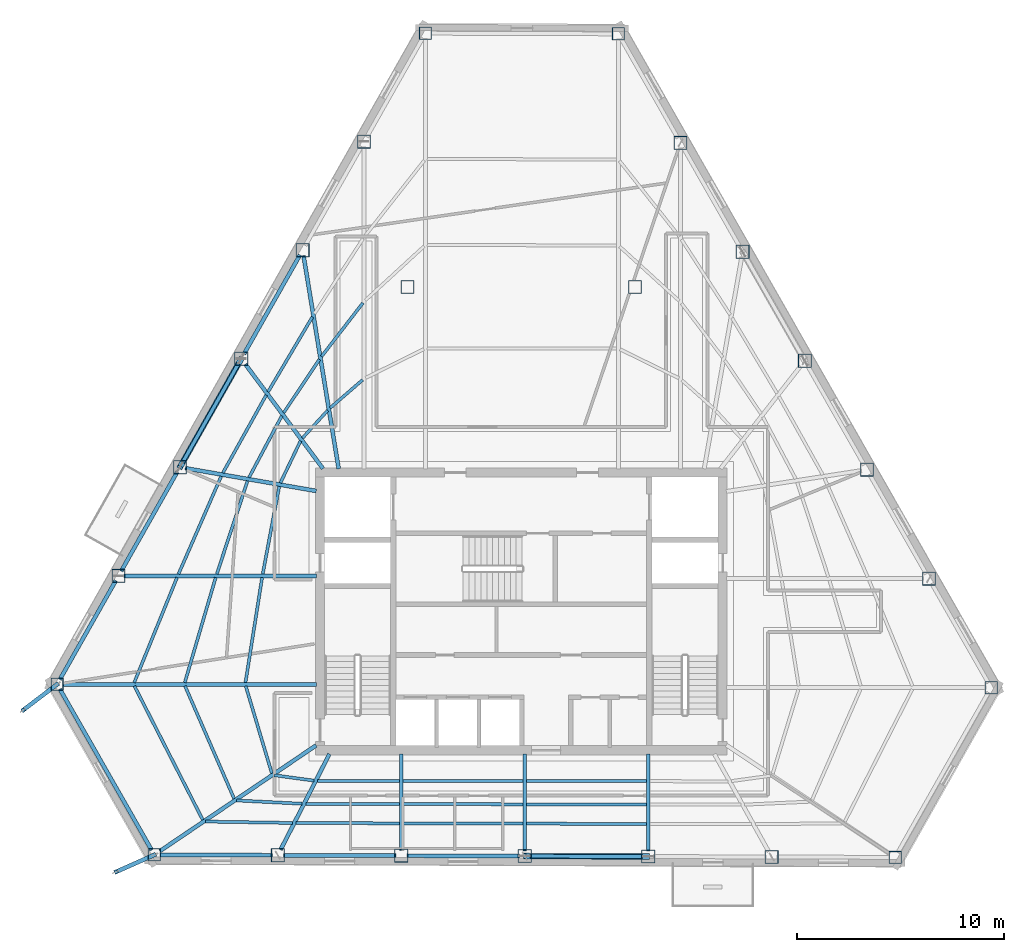
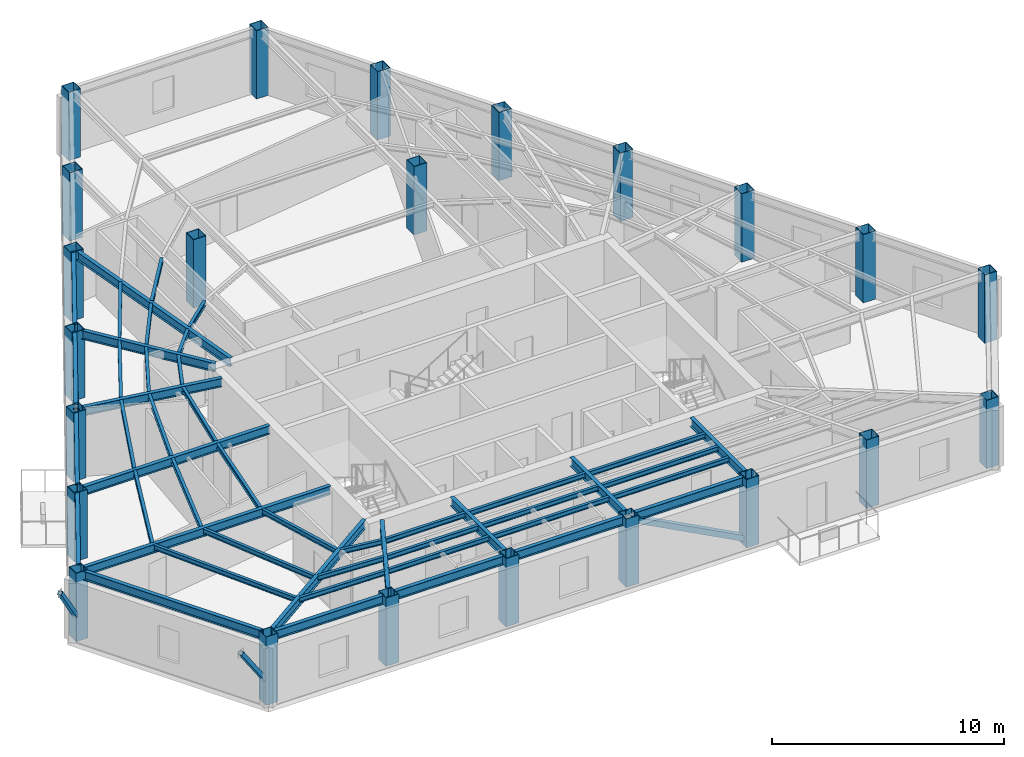
# One storey, part 1 of 13: 48 beams, 23 columns, 4 members.
"""IFC4 building model written with IfcOpenShell, lengths in metres."""

from ifc_helpers import new_model, si_unit, direction, frame, origin, origin_2d, place, context, subcontext, project, spatial, hollow_rectangle, i_section, extrude, material, material_profile, profile_set, type_object, element, save


model = new_model("IFC4")

# Units and contexts
model_context = context("Model", 3, precision=1e-05, world=origin(), true_north=direction((0.0, 1.0)))
body_context = subcontext(model_context, "Body", "Model", "MODEL_VIEW")
ifc_project = project(units=[si_unit("LENGTHUNIT", "METRE"), si_unit("AREAUNIT", "SQUARE_METRE"), si_unit("VOLUMEUNIT", "CUBIC_METRE"), si_unit("PLANEANGLEUNIT", "RADIAN"), si_unit("MASSUNIT", "GRAM", prefix="KILO")], contexts=[model_context])

# Site, building, storey
site_placement = place(None, origin())
site = spatial("IfcSite", under=ifc_project, at=site_placement, CompositionType="ELEMENT")
building_placement = place(site_placement, origin())
building = spatial("IfcBuilding", under=site, at=building_placement, Name="Kavelnor Concourse Tower", CompositionType="ELEMENT")
storey_placement = place(building_placement, frame((0.0, 0.0, 168.85009765625)))
storey = spatial("IfcBuildingStorey", under=building, at=storey_placement, Name="L42", CompositionType="ELEMENT", Elevation=168.85009765625)

# Columns
ifc_material = material(Name="Steel Grade 350", Category="steel")
ifc_material_profile_1 = material_profile(ifc_material, hollow_rectangle(XDim=0.60009765625, YDim=0.60009765625, WallThickness=0.028076171875, at=origin_2d()), Name="SHS 600x600x28")
ifc_profile_set_1 = profile_set([ifc_material_profile_1], Name="Steel Grade 350")
column_type_1 = type_object("IfcColumnType", Name="COL-FOLD-Z3", PredefinedType="COLUMN", material=ifc_profile_set_1)
for number, where, z_axis, x_axis, name in (
    (1, (33.360595703125, 44.07666015625, 0.0), (0.0, 0.0, 1.0), (1.0, 0.0, 0.0), "L42 Perimeter Corner-Fold Column F0-B0"),
    (2, (15.539794921875, 12.57080078125, 0.0), (0.0, 0.0, 1.0), (1.0, 0.0, 0.0), "L42 Perimeter Corner-Fold Column F0-B6"),
    (3, (20.244873046875, 4.319091796875, 0.0), (0.0, 0.0, 1.0), (1.0, 0.0, 0.0), "L42 Perimeter Corner-Fold Column F1-B0"),
    (4, (56.090087890625, 4.19580078125, 0.0), (0.0, 0.0, 1.0), (1.0, 0.0, 0.0), "L42 Perimeter Corner-Fold Column F1-B6"),
    (5, (60.736083984375, 12.40966796875, 0.0), (0.0, 0.0, 1.0), (1.0, 0.0, 0.0), "L42 Perimeter Corner-Fold Column F2-B0"),
    (6, (42.6982421875, 44.044677734375, 0.0), (0.0, 0.0, 1.0), (1.0, 0.0, 0.0), "L42 Perimeter Corner-Fold Column F2-B6"),
):
    element("IfcColumn", number, at=place(storey_placement, frame(where, z_axis=z_axis, x_axis=x_axis)), inside=storey, type_object=column_type_1, Name=name, PredefinedType="COLUMN", context=body_context, shape_type="SweptSolid", body=[
        extrude(hollow_rectangle(XDim=0.60009765625, YDim=0.60009765625, WallThickness=0.028076171875, at=origin_2d()), origin(), (0.0, 0.0, 1.0), 3.599853515625),
    ])
ifc_material_profile_2 = material_profile(ifc_material, hollow_rectangle(XDim=0.639892578125, YDim=0.639892578125, WallThickness=0.028076171875, at=origin_2d()), Name="SHS 640x640x28")
ifc_profile_set_2 = profile_set([ifc_material_profile_2], Name="Steel Grade 350")
column_type_2 = type_object("IfcColumnType", Name="COL-TUBE-Z3", PredefinedType="COLUMN", material=ifc_profile_set_2)
for number, where, z_axis, x_axis, name in (
    (7, (30.390380859375, 38.82568359375, 0.0), (0.0, 0.0, 1.0), (1.0, 0.0, 0.0), "L42 Perimeter Framed-Tube Column F0-B1"),
    (8, (27.42041015625, 33.57470703125, 0.0), (0.0, 0.0, 1.0), (1.0, 0.0, 0.0), "L42 Perimeter Framed-Tube Column F0-B2"),
    (9, (24.4501953125, 28.32373046875, 0.0), (0.0, 0.0, 1.0), (1.0, 0.0, 0.0), "L42 Perimeter Framed-Tube Column F0-B3"),
    (10, (21.47998046875, 23.07275390625, 0.0), (0.0, 0.0, 1.0), (1.0, 0.0, 0.0), "L42 Perimeter Framed-Tube Column F0-B4"),
    (11, (18.510009765625, 17.82177734375, 0.0), (0.0, 0.0, 1.0), (1.0, 0.0, 0.0), "L42 Perimeter Framed-Tube Column F0-B5"),
    (12, (26.218994140625, 4.298583984375, 0.0), (0.0, 0.0, 1.0), (1.0, 0.0, 0.0), "L42 Perimeter Framed-Tube Column F1-B1"),
    (13, (32.193115234375, 4.27783203125, 0.0), (0.0, 0.0, 1.0), (1.0, 0.0, 0.0), "L42 Perimeter Framed-Tube Column F1-B2"),
    (14, (38.16748046875, 4.25732421875, 0.0), (0.0, 0.0, 1.0), (1.0, 0.0, 0.0), "L42 Perimeter Framed-Tube Column F1-B3"),
    (15, (44.1416015625, 4.23681640625, 0.0), (0.0, 0.0, 1.0), (1.0, 0.0, 0.0), "L42 Perimeter Framed-Tube Column F1-B4"),
    (16, (50.11572265625, 4.21630859375, 0.0), (0.0, 0.0, 1.0), (1.0, 0.0, 0.0), "L42 Perimeter Framed-Tube Column F1-B5"),
    (17, (57.729736328125, 17.68212890625, 0.0), (0.0, 0.0, 1.0), (1.0, 0.0, 0.0), "L42 Perimeter Framed-Tube Column F2-B1"),
    (18, (54.723388671875, 22.95458984375, 0.0), (0.0, 0.0, 1.0), (1.0, 0.0, 0.0), "L42 Perimeter Framed-Tube Column F2-B2"),
    (19, (51.71728515625, 28.227294921875, 0.0), (0.0, 0.0, 1.0), (1.0, 0.0, 0.0), "L42 Perimeter Framed-Tube Column F2-B3"),
    (20, (48.7109375, 33.49951171875, 0.0), (0.0, 0.0, 1.0), (1.0, 0.0, 0.0), "L42 Perimeter Framed-Tube Column F2-B4"),
    (21, (45.70458984375, 38.772216796875, 0.0), (0.0, 0.0, 1.0), (1.0, 0.0, 0.0), "L42 Perimeter Framed-Tube Column F2-B5"),
    (22, (32.5, 31.800048828125, 0.0), (0.0, 0.0, 1.0), (1.0, 0.0, 0.0), "L42 North Interior Gravity Column BC-NW"),
    (23, (43.5, 31.800048828125, 0.0), (0.0, 0.0, 1.0), (1.0, 0.0, 0.0), "L42 North Interior Gravity Column BC-NE"),
):
    element("IfcColumn", number, at=place(storey_placement, frame(where, z_axis=z_axis, x_axis=x_axis)), inside=storey, type_object=column_type_2, Name=name, PredefinedType="COLUMN", context=body_context, shape_type="SweptSolid", body=[
        extrude(hollow_rectangle(XDim=0.639892578125, YDim=0.639892578125, WallThickness=0.028076171875, at=origin_2d()), origin(), (0.0, 0.0, 1.0), 3.599853515625),
    ])

# Beams
ifc_material_profile_3 = material_profile(ifc_material, i_section(OverallWidth=0.14599609375, OverallDepth=0.256103515625, WebThickness=0.00634765625, FlangeThickness=0.010986328125, at=origin_2d()), Name="250UB37")
ifc_profile_set_3 = profile_set([ifc_material_profile_3], Name="Steel Grade 350")
beam_type_1 = type_object("IfcBeamType", Name="BM-JOIST-250", PredefinedType="JOIST", material=ifc_profile_set_3)
beam_1_placement = place(storey_placement, frame((24.6669921875, 12.485595703125, 3.471923828125), z_axis=(0.286996799843, -0.957931540811, 0.0), x_axis=(0.957931540811, 0.286996799843, 0.0)))
element("IfcBeam", 24, at=beam_1_placement, inside=storey, type_object=beam_type_1, Name="L42 Secondary Composite Joist 01-1", PredefinedType="JOIST", context=body_context, shape_type="SweptSolid", body=[
    extrude(i_section(OverallWidth=0.14599609375, OverallDepth=0.256103515625, WebThickness=0.00634765625, FlangeThickness=0.010986328125, at=origin_2d()), origin(), (0.0, 0.0, 1.0), 4.40234375),
])
beam_2_placement = place(storey_placement, frame((21.729736328125, 12.4892578125, 3.471923828125), z_axis=(0.399500506129, -0.916732973991, 0.0), x_axis=(0.916732973991, 0.399500506129, 0.0)))
element("IfcBeam", 25, at=beam_2_placement, inside=storey, type_object=beam_type_1, Name="L42 Secondary Composite Joist 01-2", PredefinedType="JOIST", context=body_context, shape_type="SweptSolid", body=[
    extrude(i_section(OverallWidth=0.14599609375, OverallDepth=0.256103515625, WebThickness=0.00634765625, FlangeThickness=0.010986328125, at=origin_2d()), origin(), (0.0, 0.0, 1.0), 5.947265625),
])
beam_3_placement = place(storey_placement, frame((19.27880859375, 12.491455078125, 3.471923828125), z_axis=(0.454847369904, -0.89056940779, 0.0), x_axis=(0.89056940779, 0.454847369904, 0.0)))
element("IfcBeam", 26, at=beam_3_placement, inside=storey, type_object=beam_type_1, Name="L42 Secondary Composite Joist 01-3", PredefinedType="JOIST", context=body_context, shape_type="SweptSolid", body=[
    extrude(i_section(OverallWidth=0.14599609375, OverallDepth=0.256103515625, WebThickness=0.00634765625, FlangeThickness=0.010986328125, at=origin_2d()), origin(), (0.0, 0.0, 1.0), 7.276123046875),
])
beam_4_placement = place(storey_placement, frame((26.044189453125, 8.17138671875, 3.471923828125), z_axis=(0.990902802133, -0.134579481067, 0.0), x_axis=(0.134579481067, 0.990902802133, 0.0)))
element("IfcBeam", 27, at=beam_4_placement, inside=storey, type_object=beam_type_1, Name="L42 Secondary Composite Joist 02-1", PredefinedType="JOIST", context=body_context, shape_type="SweptSolid", body=[
    extrude(i_section(OverallWidth=0.14599609375, OverallDepth=0.256103515625, WebThickness=0.00634765625, FlangeThickness=0.010986328125, at=origin_2d()), origin(), (0.0, 0.0, 1.0), 1.939208984375),
])
beam_5_placement = place(storey_placement, frame((24.22998046875, 6.950927734375, 3.471923828125), z_axis=(0.998728620657, -0.050409743895, 0.0), x_axis=(0.050409743895, 0.998728620657, 0.0)))
element("IfcBeam", 28, at=beam_5_placement, inside=storey, type_object=beam_type_1, Name="L42 Secondary Composite Joist 02-2", PredefinedType="JOIST", context=body_context, shape_type="SweptSolid", body=[
    extrude(i_section(OverallWidth=0.14599609375, OverallDepth=0.256103515625, WebThickness=0.00634765625, FlangeThickness=0.010986328125, at=origin_2d()), origin(), (0.0, 0.0, 1.0), 3.17236328125),
])
beam_6_placement = place(storey_placement, frame((22.718017578125, 5.9306640625, 3.471923828125), z_axis=(0.999865217816, -0.016417862294, 0.0), x_axis=(0.016417862294, 0.999865217816, 0.0)))
element("IfcBeam", 29, at=beam_6_placement, inside=storey, type_object=beam_type_1, Name="L42 Secondary Composite Joist 02-3", PredefinedType="JOIST", context=body_context, shape_type="SweptSolid", body=[
    extrude(i_section(OverallWidth=0.14599609375, OverallDepth=0.256103515625, WebThickness=0.00634765625, FlangeThickness=0.010986328125, at=origin_2d()), origin(), (0.0, 0.0, 1.0), 4.208251953125),
])
beam_7_placement = place(storey_placement, frame((28.142822265625, 7.8984375, 3.471923828125), z_axis=(0.999999572704, -0.000924441858, 0.0), x_axis=(0.000924441858, 0.999999572704, 0.0)))
element("IfcBeam", 30, at=beam_7_placement, inside=storey, type_object=beam_type_1, Name="L42 Secondary Composite Joist 03-1", PredefinedType="JOIST", context=body_context, shape_type="SweptSolid", body=[
    extrude(i_section(OverallWidth=0.14599609375, OverallDepth=0.256103515625, WebThickness=0.00634765625, FlangeThickness=0.010986328125, at=origin_2d()), origin(), (0.0, 0.0, 1.0), 3.96142578125),
])
beam_8_placement = place(storey_placement, frame((27.576171875, 6.786376953125, 3.471923828125), z_axis=(0.999997312442, -0.002318428017, 0.0), x_axis=(0.002318428017, 0.999997312442, 0.0)))
element("IfcBeam", 31, at=beam_8_placement, inside=storey, type_object=beam_type_1, Name="L42 Secondary Composite Joist 03-2", PredefinedType="JOIST", context=body_context, shape_type="SweptSolid", body=[
    extrude(i_section(OverallWidth=0.14599609375, OverallDepth=0.256103515625, WebThickness=0.00634765625, FlangeThickness=0.010986328125, at=origin_2d()), origin(), (0.0, 0.0, 1.0), 4.528076171875),
])
beam_9_placement = place(storey_placement, frame((27.10400390625, 5.85986328125, 3.471923828125), z_axis=(0.99999464926, -0.003271307138, 0.0), x_axis=(0.003271307138, 0.99999464926, 0.0)))
element("IfcBeam", 32, at=beam_9_placement, inside=storey, type_object=beam_type_1, Name="L42 Secondary Composite Joist 03-3", PredefinedType="JOIST", context=body_context, shape_type="SweptSolid", body=[
    extrude(i_section(OverallWidth=0.14599609375, OverallDepth=0.256103515625, WebThickness=0.00634765625, FlangeThickness=0.010986328125, at=origin_2d()), origin(), (0.0, 0.0, 1.0), 5.000244140625),
])
for number, where, z_axis, x_axis, name in (
    (33, (32.2822265625, 7.89453125, 3.471923828125), (0.999999530725, -0.000968787718, 0.0), (0.000968787718, 0.999999530725, 0.0), "L42 Secondary Composite Joist 04-1"),
    (34, (32.2822265625, 6.775390625, 3.471923828125), (0.999998435161, -0.001769088677, 0.0), (0.001769088677, 0.999998435161, 0.0), "L42 Secondary Composite Joist 04-2"),
    (35, (32.2822265625, 5.843017578125, 3.471923828125), (0.999996912023, -0.002485144594, 0.0), (0.002485144594, 0.999996912023, 0.0), "L42 Secondary Composite Joist 04-3"),
    (36, (38.25634765625, 7.888916015625, 3.471923828125), (0.999999530725, -0.000968787718, 0.0), (0.000968787718, 0.999999530725, 0.0), "L42 Secondary Composite Joist 05-1"),
    (37, (38.25634765625, 6.764892578125, 3.471923828125), (0.999998359758, -0.001811209699, 0.0), (0.001811209699, 0.999998359758, 0.0), "L42 Secondary Composite Joist 05-2"),
    (38, (38.25634765625, 5.828369140625, 3.471923828125), (0.999996912023, -0.002485144594, 0.0), (0.002485144594, 0.999996912023, 0.0), "L42 Secondary Composite Joist 05-3"),
):
    element("IfcBeam", number, at=place(storey_placement, frame(where, z_axis=z_axis, x_axis=x_axis)), inside=storey, type_object=beam_type_1, Name=name, PredefinedType="JOIST", context=body_context, shape_type="SweptSolid", body=[
        extrude(i_section(OverallWidth=0.14599609375, OverallDepth=0.256103515625, WebThickness=0.00634765625, FlangeThickness=0.010986328125, at=origin_2d()), origin(), (0.0, 0.0, 1.0), 5.796142578125),
    ])
beam_10_placement = place(storey_placement, frame((30.3232421875, 27.30029296875, 3.471923828125), z_axis=(-0.756746128846, -0.653708877465, 0.0), x_axis=(0.653708877465, -0.756746128846, 0.0)))
element("IfcBeam", 39, at=beam_10_placement, inside=storey, type_object=beam_type_1, Name="L42 Secondary Composite Joist 17-1", PredefinedType="JOIST", context=body_context, shape_type="SweptSolid", body=[
    extrude(i_section(OverallWidth=0.14599609375, OverallDepth=0.256103515625, WebThickness=0.00634765625, FlangeThickness=0.010986328125, at=origin_2d()), origin(), (0.0, 0.0, 1.0), 2.07080078125),
])
beam_11_placement = place(storey_placement, frame((30.336181640625, 31.023681640625, 3.471923828125), z_axis=(-0.611526049106, -0.79122429896, 0.0), x_axis=(0.79122429896, -0.611526049106, 0.0)))
element("IfcBeam", 40, at=beam_11_placement, inside=storey, type_object=beam_type_1, Name="L42 Secondary Composite Joist 17-2", PredefinedType="JOIST", context=body_context, shape_type="SweptSolid", body=[
    extrude(i_section(OverallWidth=0.14599609375, OverallDepth=0.256103515625, WebThickness=0.00634765625, FlangeThickness=0.010986328125, at=origin_2d()), origin(), (0.0, 0.0, 1.0), 3.27294921875),
])
beam_12_placement = place(storey_placement, frame((28.62890625, 25.822509765625, 3.471923828125), z_axis=(-0.672834367792, -0.739793155901, 0.0), x_axis=(0.739793155901, -0.672834367792, 0.0)))
element("IfcBeam", 41, at=beam_12_placement, inside=storey, type_object=beam_type_1, Name="L42 Secondary Composite Joist 18-1", PredefinedType="JOIST", context=body_context, shape_type="SweptSolid", body=[
    extrude(i_section(OverallWidth=0.14599609375, OverallDepth=0.256103515625, WebThickness=0.00634765625, FlangeThickness=0.010986328125, at=origin_2d()), origin(), (0.0, 0.0, 1.0), 1.804931640625),
])
beam_13_placement = place(storey_placement, frame((28.23095703125, 28.289794921875, 3.471923828125), z_axis=(-0.556149548091, -0.831082234294, 0.0), x_axis=(0.831082234294, -0.556149548091, 0.0)))
element("IfcBeam", 42, at=beam_13_placement, inside=storey, type_object=beam_type_1, Name="L42 Secondary Composite Joist 18-2", PredefinedType="JOIST", context=body_context, shape_type="SweptSolid", body=[
    extrude(i_section(OverallWidth=0.14599609375, OverallDepth=0.256103515625, WebThickness=0.00634765625, FlangeThickness=0.010986328125, at=origin_2d()), origin(), (0.0, 0.0, 1.0), 3.10791015625),
])
beam_14_placement = place(storey_placement, frame((27.89453125, 30.349853515625, 3.471923828125), z_axis=(-0.509115322275, -0.860698314524, 0.0), x_axis=(0.860698314524, -0.509115322275, 0.0)))
element("IfcBeam", 43, at=beam_14_placement, inside=storey, type_object=beam_type_1, Name="L42 Secondary Composite Joist 18-3", PredefinedType="JOIST", context=body_context, shape_type="SweptSolid", body=[
    extrude(i_section(OverallWidth=0.14599609375, OverallDepth=0.256103515625, WebThickness=0.00634765625, FlangeThickness=0.010986328125, at=origin_2d()), origin(), (0.0, 0.0, 1.0), 4.218505859375),
])
beam_15_placement = place(storey_placement, frame((27.316162109375, 24.341064453125, 3.471923828125), z_axis=(-0.432907598664, -0.901438301282, 0.0), x_axis=(0.901438301282, -0.432907598664, 0.0)))
element("IfcBeam", 44, at=beam_15_placement, inside=storey, type_object=beam_type_1, Name="L42 Secondary Composite Joist 19-1", PredefinedType="JOIST", context=body_context, shape_type="SweptSolid", body=[
    extrude(i_section(OverallWidth=0.14599609375, OverallDepth=0.256103515625, WebThickness=0.00634765625, FlangeThickness=0.010986328125, at=origin_2d()), origin(), (0.0, 0.0, 1.0), 2.248046875),
])
beam_16_placement = place(storey_placement, frame((26.4111328125, 25.55419921875, 3.471923828125), z_axis=(-0.470197473306, -0.882561236457, 0.0), x_axis=(0.882561236457, -0.470197473306, 0.0)))
element("IfcBeam", 45, at=beam_16_placement, inside=storey, type_object=beam_type_1, Name="L42 Secondary Composite Joist 19-2", PredefinedType="JOIST", context=body_context, shape_type="SweptSolid", body=[
    extrude(i_section(OverallWidth=0.14599609375, OverallDepth=0.256103515625, WebThickness=0.00634765625, FlangeThickness=0.010986328125, at=origin_2d()), origin(), (0.0, 0.0, 1.0), 3.372802734375),
])
beam_17_placement = place(storey_placement, frame((25.658203125, 26.564697265625, 3.471923828125), z_axis=(-0.486728691997, -0.873553192649, 0.0), x_axis=(0.873553192649, -0.486728691997, 0.0)))
element("IfcBeam", 46, at=beam_17_placement, inside=storey, type_object=beam_type_1, Name="L42 Secondary Composite Joist 19-3", PredefinedType="JOIST", context=body_context, shape_type="SweptSolid", body=[
    extrude(i_section(OverallWidth=0.14599609375, OverallDepth=0.256103515625, WebThickness=0.00634765625, FlangeThickness=0.010986328125, at=origin_2d()), origin(), (0.0, 0.0, 1.0), 4.313232421875),
])
beam_18_placement = place(storey_placement, frame((26.2880859375, 22.14697265625, 3.471923828125), z_axis=(-0.185129352878, -0.982714161241, 0.0), x_axis=(0.982714161241, -0.185129352878, 0.0)))
element("IfcBeam", 47, at=beam_18_placement, inside=storey, type_object=beam_type_1, Name="L42 Secondary Composite Joist 20-1", PredefinedType="JOIST", context=body_context, shape_type="SweptSolid", body=[
    extrude(i_section(OverallWidth=0.14599609375, OverallDepth=0.256103515625, WebThickness=0.00634765625, FlangeThickness=0.010986328125, at=origin_2d()), origin(), (0.0, 0.0, 1.0), 4.312255859375),
])
beam_19_placement = place(storey_placement, frame((24.75537109375, 22.414306640625, 3.471923828125), z_axis=(-0.313588450937, -0.949558994186, 0.0), x_axis=(0.949558994186, -0.313588450937, 0.0)))
element("IfcBeam", 48, at=beam_19_placement, inside=storey, type_object=beam_type_1, Name="L42 Secondary Composite Joist 20-2", PredefinedType="JOIST", context=body_context, shape_type="SweptSolid", body=[
    extrude(i_section(OverallWidth=0.14599609375, OverallDepth=0.256103515625, WebThickness=0.00634765625, FlangeThickness=0.010986328125, at=origin_2d()), origin(), (0.0, 0.0, 1.0), 4.74755859375),
])
beam_20_placement = place(storey_placement, frame((23.479736328125, 22.637451171875, 3.471923828125), z_axis=(-0.400201413202, -0.916427208714, 0.0), x_axis=(0.916427208714, -0.400201413202, 0.0)))
element("IfcBeam", 49, at=beam_20_placement, inside=storey, type_object=beam_type_1, Name="L42 Secondary Composite Joist 20-3", PredefinedType="JOIST", context=body_context, shape_type="SweptSolid", body=[
    extrude(i_section(OverallWidth=0.14599609375, OverallDepth=0.256103515625, WebThickness=0.00634765625, FlangeThickness=0.010986328125, at=origin_2d()), origin(), (0.0, 0.0, 1.0), 5.165771484375),
])
beam_21_placement = place(storey_placement, frame((25.459228515625, 17.73388671875, 3.471923828125), z_axis=(-0.156411487252, -0.987691979645, 0.0), x_axis=(0.987691979645, -0.156411487252, 0.0)))
element("IfcBeam", 50, at=beam_21_placement, inside=storey, type_object=beam_type_1, Name="L42 Secondary Composite Joist 21-1", PredefinedType="JOIST", context=body_context, shape_type="SweptSolid", body=[
    extrude(i_section(OverallWidth=0.14599609375, OverallDepth=0.256103515625, WebThickness=0.00634765625, FlangeThickness=0.010986328125, at=origin_2d()), origin(), (0.0, 0.0, 1.0), 5.138427734375),
])
beam_22_placement = place(storey_placement, frame((23.213623046875, 17.736328125, 3.471923828125), z_axis=(-0.282166323992, -0.959365501571, 0.0), x_axis=(0.959365501571, -0.282166323992, 0.0)))
element("IfcBeam", 51, at=beam_22_placement, inside=storey, type_object=beam_type_1, Name="L42 Secondary Composite Joist 21-2", PredefinedType="JOIST", context=body_context, shape_type="SweptSolid", body=[
    extrude(i_section(OverallWidth=0.14599609375, OverallDepth=0.256103515625, WebThickness=0.00634765625, FlangeThickness=0.010986328125, at=origin_2d()), origin(), (0.0, 0.0, 1.0), 5.295166015625),
])
beam_23_placement = place(storey_placement, frame((21.34326171875, 17.739501953125, 3.471923828125), z_axis=(-0.377200862438, -0.926131475211, 0.0), x_axis=(0.926131475211, -0.377200862438, 0.0)))
element("IfcBeam", 52, at=beam_23_placement, inside=storey, type_object=beam_type_1, Name="L42 Secondary Composite Joist 21-3", PredefinedType="JOIST", context=body_context, shape_type="SweptSolid", body=[
    extrude(i_section(OverallWidth=0.14599609375, OverallDepth=0.256103515625, WebThickness=0.00634765625, FlangeThickness=0.010986328125, at=origin_2d()), origin(), (0.0, 0.0, 1.0), 5.491943359375),
])
ifc_material_profile_4 = material_profile(ifc_material, i_section(OverallWidth=0.18994140625, OverallDepth=0.4541015625, WebThickness=0.008544921875, FlangeThickness=0.0126953125, at=origin_2d()), Name="460UB67")
ifc_profile_set_4 = profile_set([ifc_material_profile_4], Name="Steel Grade 350")
beam_type_2 = type_object("IfcBeamType", Name="BM-PRIMARY-460", PredefinedType="BEAM", material=ifc_profile_set_4)
beam_24_placement = place(storey_placement, frame((29.165283203125, 23.00048828125, 3.372802734375), z_axis=(-0.162811856519, 0.986657133647, 0.0), x_axis=(-0.986657133647, -0.162811856519, 0.0)))
element("IfcBeam", 53, at=beam_24_placement, inside=storey, type_object=beam_type_2, Name="L42 Primary Floor Girder F0-B2", PredefinedType="BEAM", context=body_context, shape_type="SweptSolid", body=[
    extrude(i_section(OverallWidth=0.18994140625, OverallDepth=0.4541015625, WebThickness=0.008544921875, FlangeThickness=0.0126953125, at=origin_2d()), origin(), (0.0, 0.0, 1.0), 10.453125),
])
beam_25_placement = place(storey_placement, frame((28.406494140625, 23.0078125, 3.372802734375), z_axis=(-0.597022382975, 0.802224578423, 0.0), x_axis=(-0.802224578423, -0.597022382975, 0.0)))
element("IfcBeam", 54, at=beam_25_placement, inside=storey, type_object=beam_type_2, Name="L42 Primary Floor Girder F0-B3", PredefinedType="BEAM", context=body_context, shape_type="SweptSolid", body=[
    extrude(i_section(OverallWidth=0.18994140625, OverallDepth=0.4541015625, WebThickness=0.008544921875, FlangeThickness=0.0126953125, at=origin_2d()), origin(), (0.0, 0.0, 1.0), 6.292724609375),
])
beam_26_placement = place(storey_placement, frame((28.079345703125, 21.926025390625, 3.372802734375), z_axis=(-0.985234026803, 0.171213061506, 0.0), x_axis=(-0.171213061506, -0.985234026803, 0.0)))
element("IfcBeam", 55, at=beam_26_placement, inside=storey, type_object=beam_type_2, Name="L42 Primary Floor Girder F0-B4", PredefinedType="BEAM", context=body_context, shape_type="SweptSolid", body=[
    extrude(i_section(OverallWidth=0.18994140625, OverallDepth=0.4541015625, WebThickness=0.008544921875, FlangeThickness=0.0126953125, at=origin_2d()), origin(), (0.0, 0.0, 1.0), 6.433837890625),
])
beam_27_placement = place(storey_placement, frame((28.080078125, 17.82177734375, 3.372802734375), z_axis=(-1.0, 0.0, 0.0), x_axis=(0.0, -1.0, 0.0)))
element("IfcBeam", 56, at=beam_27_placement, inside=storey, type_object=beam_type_2, Name="L42 Primary Floor Girder F0-B5", PredefinedType="BEAM", context=body_context, shape_type="SweptSolid", body=[
    extrude(i_section(OverallWidth=0.18994140625, OverallDepth=0.4541015625, WebThickness=0.008544921875, FlangeThickness=0.0126953125, at=origin_2d()), origin(), (0.0, 0.0, 1.0), 9.31005859375),
])
beam_28_placement = place(storey_placement, frame((28.080078125, 12.57080078125, 3.372802734375), z_axis=(-1.0, 0.0, 0.0), x_axis=(0.0, -1.0, 0.0)))
element("IfcBeam", 57, at=beam_28_placement, inside=storey, type_object=beam_type_2, Name="L42 Primary Floor Girder F0-B6", PredefinedType="BEAM", context=body_context, shape_type="SweptSolid", body=[
    extrude(i_section(OverallWidth=0.18994140625, OverallDepth=0.4541015625, WebThickness=0.008544921875, FlangeThickness=0.0126953125, at=origin_2d()), origin(), (0.0, 0.0, 1.0), 12.2802734375),
])
beam_29_placement = place(storey_placement, frame((28.072998046875, 9.61572265625, 3.372802734375), z_axis=(-0.828220989242, -0.560401635418, 0.0), x_axis=(0.560401635418, -0.828220989242, 0.0)))
element("IfcBeam", 58, at=beam_29_placement, inside=storey, type_object=beam_type_2, Name="L42 Primary Floor Girder F1-B0", PredefinedType="BEAM", context=body_context, shape_type="SweptSolid", body=[
    extrude(i_section(OverallWidth=0.18994140625, OverallDepth=0.4541015625, WebThickness=0.008544921875, FlangeThickness=0.0126953125, at=origin_2d()), origin(), (0.0, 0.0, 1.0), 9.129638671875),
])
beam_30_placement = place(storey_placement, frame((28.715087890625, 9.195556640625, 3.372802734375), z_axis=(-0.454130449422, -0.890935202418, 0.0), x_axis=(0.890935202418, -0.454130449422, 0.0)))
element("IfcBeam", 59, at=beam_30_placement, inside=storey, type_object=beam_type_2, Name="L42 Primary Floor Girder F1-B1", PredefinedType="BEAM", context=body_context, shape_type="SweptSolid", body=[
    extrude(i_section(OverallWidth=0.18994140625, OverallDepth=0.4541015625, WebThickness=0.008544921875, FlangeThickness=0.0126953125, at=origin_2d()), origin(), (0.0, 0.0, 1.0), 5.19970703125),
])
beam_31_placement = place(storey_placement, frame((32.193115234375, 9.199951171875, 3.372802734375), z_axis=(0.0, -1.0, 0.0), x_axis=(1.0, 0.0, 0.0)))
element("IfcBeam", 60, at=beam_31_placement, inside=storey, type_object=beam_type_2, Name="L42 Primary Floor Girder F1-B2", PredefinedType="BEAM", context=body_context, shape_type="SweptSolid", body=[
    extrude(i_section(OverallWidth=0.18994140625, OverallDepth=0.4541015625, WebThickness=0.008544921875, FlangeThickness=0.0126953125, at=origin_2d()), origin(), (0.0, 0.0, 1.0), 4.662109375),
])
beam_32_placement = place(storey_placement, frame((38.16748046875, 9.199951171875, 3.372802734375), z_axis=(0.0, -1.0, 0.0), x_axis=(1.0, 0.0, 0.0)))
element("IfcBeam", 61, at=beam_32_placement, inside=storey, type_object=beam_type_2, Name="L42 Primary Floor Girder F1-B3", PredefinedType="BEAM", context=body_context, shape_type="SweptSolid", body=[
    extrude(i_section(OverallWidth=0.18994140625, OverallDepth=0.4541015625, WebThickness=0.008544921875, FlangeThickness=0.0126953125, at=origin_2d()), origin(), (0.0, 0.0, 1.0), 4.6826171875),
])
beam_33_placement = place(storey_placement, frame((44.1416015625, 9.199951171875, 3.372802734375), z_axis=(0.0, -1.0, 0.0), x_axis=(1.0, 0.0, 0.0)))
element("IfcBeam", 62, at=beam_33_placement, inside=storey, type_object=beam_type_2, Name="L42 Primary Floor Girder F1-B4", PredefinedType="BEAM", context=body_context, shape_type="SweptSolid", body=[
    extrude(i_section(OverallWidth=0.18994140625, OverallDepth=0.4541015625, WebThickness=0.008544921875, FlangeThickness=0.0126953125, at=origin_2d()), origin(), (0.0, 0.0, 1.0), 4.703125),
])
ifc_material_profile_5 = material_profile(ifc_material, i_section(OverallWidth=0.19091796875, OverallDepth=0.4599609375, WebThickness=0.010009765625, FlangeThickness=0.01611328125, at=origin_2d()), Name="460UB82")
ifc_profile_set_5 = profile_set([ifc_material_profile_5], Name="Steel Grade 350")
beam_type_3 = type_object("IfcBeamType", Name="BM-SPANDREL-Z3", PredefinedType="SPANDREL", material=ifc_profile_set_5)
for number, where, z_axis, x_axis, name in (
    (63, (27.289794921875, 33.343994140625, 3.369873046875), (-0.492311622888, -0.870419017468, 0.0), (0.870419017468, -0.492311622888, 0.0), "L42 Perimeter Tube Spandrel Beam F0-B2"),
    (64, (24.319580078125, 28.093017578125, 3.369873046875), (-0.492311622888, -0.870419017468, 0.0), (0.870419017468, -0.492311622888, 0.0), "L42 Perimeter Tube Spandrel Beam F0-B3"),
    (65, (21.349609375, 22.842041015625, 3.369873046875), (-0.492345236575, -0.870400004608, 0.0), (0.870400004608, -0.492345236575, 0.0), "L42 Perimeter Tube Spandrel Beam F0-B4"),
    (66, (18.37939453125, 17.591064453125, 3.369873046875), (-0.492345236575, -0.870400004608, 0.0), (0.870400004608, -0.492345236575, 0.0), "L42 Perimeter Tube Spandrel Beam F0-B5"),
):
    element("IfcBeam", number, at=place(storey_placement, frame(where, z_axis=z_axis, x_axis=x_axis)), inside=storey, type_object=beam_type_3, Name=name, PredefinedType="SPANDREL", context=body_context, shape_type="SweptSolid", body=[
        extrude(i_section(OverallWidth=0.19091796875, OverallDepth=0.4599609375, WebThickness=0.010009765625, FlangeThickness=0.01611328125, at=origin_2d()), origin(), (0.0, 0.0, 1.0), 5.502685546875),
    ])
for number, where, z_axis, x_axis, name in (
    (67, (20.509765625, 4.318115234375, 3.369873046875), (0.999994038743, -0.003452894214, 0.0), (0.003452894214, 0.999994038743, 0.0), "L42 Perimeter Tube Spandrel Beam F1-B0"),
    (68, (26.48388671875, 4.297607421875, 3.369873046875), (0.999994038743, -0.003452894214, 0.0), (0.003452894214, 0.999994038743, 0.0), "L42 Perimeter Tube Spandrel Beam F1-B1"),
):
    element("IfcBeam", number, at=place(storey_placement, frame(where, z_axis=z_axis, x_axis=x_axis)), inside=storey, type_object=beam_type_3, Name=name, PredefinedType="SPANDREL", context=body_context, shape_type="SweptSolid", body=[
        extrude(i_section(OverallWidth=0.19091796875, OverallDepth=0.4599609375, WebThickness=0.010009765625, FlangeThickness=0.01611328125, at=origin_2d()), origin(), (0.0, 0.0, 1.0), 5.4443359375),
    ])
beam_34_placement = place(storey_placement, frame((32.458251953125, 4.277099609375, 3.369873046875), z_axis=(0.999994038208, -0.003453049058, 0.0), x_axis=(0.003453049058, 0.999994038208, 0.0)))
element("IfcBeam", 69, at=beam_34_placement, inside=storey, type_object=beam_type_3, Name="L42 Perimeter Tube Spandrel Beam F1-B2", PredefinedType="SPANDREL", context=body_context, shape_type="SweptSolid", body=[
    extrude(i_section(OverallWidth=0.19091796875, OverallDepth=0.4599609375, WebThickness=0.010009765625, FlangeThickness=0.01611328125, at=origin_2d()), origin(), (0.0, 0.0, 1.0), 5.444091796875),
])
beam_35_placement = place(storey_placement, frame((38.432373046875, 4.256591796875, 3.369873046875), z_axis=(0.999994038743, -0.003452894214, 0.0), x_axis=(0.003452894214, 0.999994038743, 0.0)))
element("IfcBeam", 70, at=beam_35_placement, inside=storey, type_object=beam_type_3, Name="L42 Perimeter Tube Spandrel Beam F1-B3", PredefinedType="SPANDREL", context=body_context, shape_type="SweptSolid", body=[
    extrude(i_section(OverallWidth=0.19091796875, OverallDepth=0.4599609375, WebThickness=0.010009765625, FlangeThickness=0.01611328125, at=origin_2d()), origin(), (0.0, 0.0, 1.0), 5.4443359375),
])
beam_36_placement = place(storey_placement, frame((15.6708984375, 12.340576171875, 3.369873046875), z_axis=(0.495338433594, -0.868700084151, 0.0), x_axis=(0.868700084151, 0.495338433594, 0.0)))
element("IfcBeam", 71, at=beam_36_placement, inside=storey, type_object=beam_type_3, Name="L42 Chamfer Facet Spandrel Beam C1", PredefinedType="SPANDREL", context=body_context, shape_type="SweptSolid", body=[
    extrude(i_section(OverallWidth=0.19091796875, OverallDepth=0.4599609375, WebThickness=0.010009765625, FlangeThickness=0.01611328125, at=origin_2d()), origin(), (0.0, 0.0, 1.0), 8.96875),
])

# Members
ifc_material_profile_6 = material_profile(ifc_material, hollow_rectangle(XDim=0.199951171875, YDim=0.199951171875, WallThickness=0.011962890625, at=origin_2d()), Name="SHS 200x200x12")
ifc_profile_set_6 = profile_set([ifc_material_profile_6], Name="Steel Grade 350")
member_type_1 = type_object("IfcMemberType", Name="MBR-TERR-STRUT-200", PredefinedType="STRUT", material=ifc_profile_set_6)
member_1_placement = place(storey_placement, frame((15.539794921875, 12.57080078125, 0.89990234375), z_axis=(-0.479275311658, -0.364463039973, 0.798412091673), x_axis=(0.605308325102, -0.795991100178, 0.0)))
element("IfcMember", 72, at=member_1_placement, inside=storey, type_object=member_type_1, Name="L42 Spiral Terrace Raking Knee Strut C1-A", PredefinedType="STRUT", context=body_context, shape_type="SweptSolid", body=[
    extrude(hollow_rectangle(XDim=0.199951171875, YDim=0.199951171875, WallThickness=0.011962890625, at=origin_2d()), origin(), (0.0, 0.0, 1.0), 3.42578125),
])
member_2_placement = place(storey_placement, frame((20.244873046875, 4.319091796875, 0.89990234375), z_axis=(-0.544208350202, -0.241734925356, 0.803368842708), x_axis=(0.405948510517, -0.913895949662, 0.0)))
element("IfcMember", 73, at=member_2_placement, inside=storey, type_object=member_type_1, Name="L42 Spiral Terrace Raking Knee Strut C1-B", PredefinedType="STRUT", context=body_context, shape_type="SweptSolid", body=[
    extrude(hollow_rectangle(XDim=0.199951171875, YDim=0.199951171875, WallThickness=0.011962890625, at=origin_2d()), origin(), (0.0, 0.0, 1.0), 3.404541015625),
])
ifc_material_profile_7 = material_profile(ifc_material, hollow_rectangle(XDim=0.280029296875, YDim=0.280029296875, WallThickness=0.01611328125, at=origin_2d()), Name="SHS 280x280x16")
ifc_profile_set_7 = profile_set([ifc_material_profile_7], Name="Steel Grade 350")
member_type_2 = type_object("IfcMemberType", Name="MBR-TUBE-DIAG-Z3", PredefinedType="BRACE", material=ifc_profile_set_7)
member_3_placement = place(storey_placement, frame((24.4501953125, 28.32373046875, 0.219970703125), z_axis=(-0.436433939677, -0.771561825956, 0.462836650478), x_axis=(0.8704014968, -0.492342598571, 0.0)))
element("IfcMember", 74, at=member_3_placement, inside=storey, type_object=member_type_2, Name="L42 Framed-Tube Bracing Diagonal F0-B3", PredefinedType="BRACE", context=body_context, shape_type="SweptSolid", body=[
    extrude(hollow_rectangle(XDim=0.280029296875, YDim=0.280029296875, WallThickness=0.01611328125, at=origin_2d()), origin(), (0.0, 0.0, 1.0), 6.8056640625),
])
member_4_placement = place(storey_placement, frame((44.1416015625, 4.23681640625, 0.219970703125), z_axis=(-0.884570445634, 0.003036531158, 0.466396726178), x_axis=(-0.003432754601, -0.999994108081, 0.0)))
element("IfcMember", 75, at=member_4_placement, inside=storey, type_object=member_type_2, Name="L42 Framed-Tube Bracing Diagonal F1-B3", PredefinedType="BRACE", context=body_context, shape_type="SweptSolid", body=[
    extrude(hollow_rectangle(XDim=0.280029296875, YDim=0.280029296875, WallThickness=0.01611328125, at=origin_2d()), origin(), (0.0, 0.0, 1.0), 6.753662109375),
])

save(model, "model.ifc")
